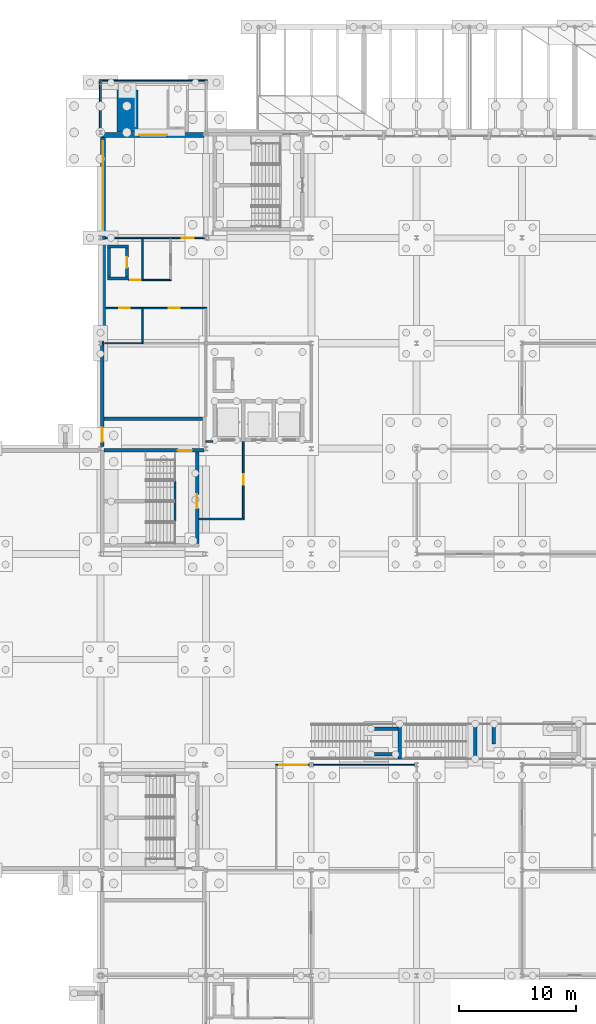
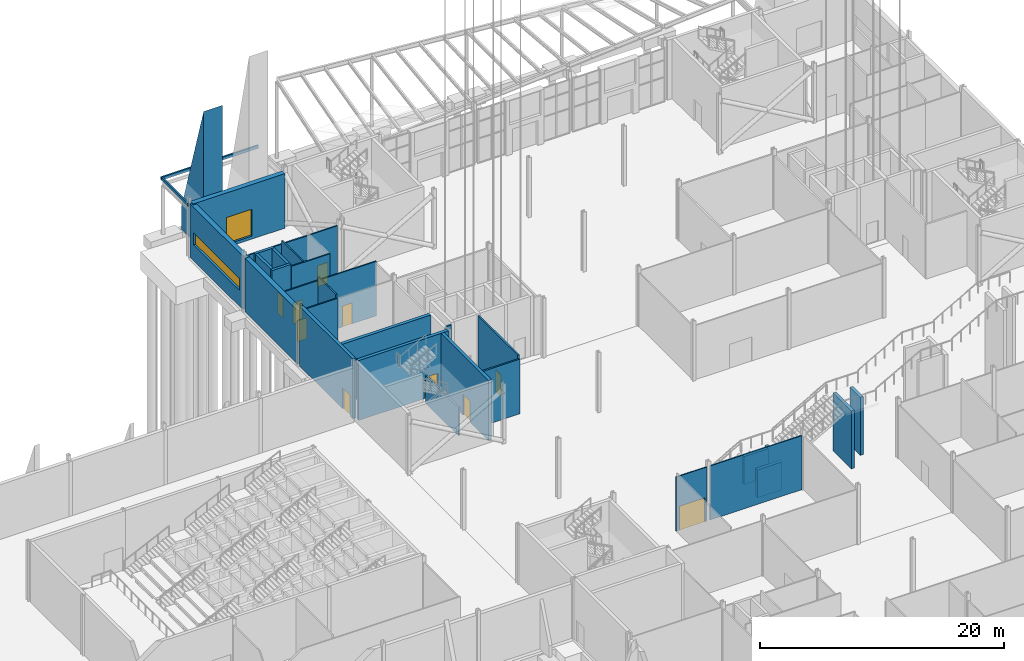
# One storey, part 107 of 139: 33 walls, 10 doors, 2 windows, 12 openings.
"""IFC4 building model written with IfcOpenShell, lengths in metres."""

from ifc_helpers import new_model, si_unit, direction, frame, frame_2d, origin, place, context, subcontext, project, spatial, polyline, rectangle, outline, extrude, material, layer, layer_set, type_object, element, fill, save


model = new_model("IFC4")

# Units and contexts
model_context = context("Model", 3, precision=1e-05, world=origin(), true_north=direction((0.0, 1.0)))
body_context = subcontext(model_context, "Body", "Model", "MODEL_VIEW")
ifc_project = project(units=[si_unit("LENGTHUNIT", "METRE"), si_unit("AREAUNIT", "SQUARE_METRE"), si_unit("VOLUMEUNIT", "CUBIC_METRE"), si_unit("PLANEANGLEUNIT", "RADIAN"), si_unit("MASSUNIT", "GRAM", prefix="KILO")], contexts=[model_context])

# Site, building, storey
site_placement = place(None, origin())
site = spatial("IfcSite", under=ifc_project, at=site_placement, CompositionType="ELEMENT")
building_placement = place(site_placement, origin())
building = spatial("IfcBuilding", under=site, at=building_placement, Name="Shorebreak Coast Museum", CompositionType="ELEMENT")
storey_placement = place(building_placement, origin())
storey = spatial("IfcBuildingStorey", under=building, at=storey_placement, Name="L00", CompositionType="ELEMENT", Elevation=0.0)

# Walls
ifc_material_1 = material(Name="Concrete N50 (50 MPa)", Category="concrete")
ifc_layer_1 = layer(ifc_material_1, 0.14990234375)
ifc_layer_set_1 = layer_set([ifc_layer_1], Name="Concrete N50 (50 MPa)")
wall_type_1 = type_object("IfcWallType", Name="Arcade roof upstand 150", PredefinedType="PARAPET", material=ifc_layer_set_1)
wall_1_placement = place(storey_placement, frame((53.89990234375, 121.425048828125, 5.0), z_axis=(0.0, 0.0, 1.0), x_axis=(1.0, 0.0, 0.0)))
element("IfcWall", 1, at=wall_1_placement, inside=storey, type_object=wall_type_1, Name="Arcade roof upstand north 1", PredefinedType="PARAPET", context=body_context, shape_type="SweptSolid", body=[
    extrude(rectangle(XDim=9.2001953125, YDim=0.14990234375, at=frame_2d((4.60009765625, 0.0))), origin(), (0.0, 0.0, 1.0), 0.300048828125),
])
wall_2_placement = place(storey_placement, frame((53.97509765625, 117.0, 5.0), z_axis=(0.0, 0.0, 1.0), x_axis=(0.0, 1.0, 0.0)))
element("IfcWall", 2, at=wall_2_placement, inside=storey, type_object=wall_type_1, Name="Arcade roof upstand north 1 end 1", PredefinedType="PARAPET", context=body_context, shape_type="SweptSolid", body=[
    extrude(rectangle(XDim=4.35009765625, YDim=0.14990234375, at=frame_2d((2.175048828125, 0.0))), origin(), (0.0, 0.0, 1.0), 0.300048828125),
])
ifc_material_2 = material(Name="Concrete N50 (50 MPa)", Category="concrete")
ifc_layer_2 = layer(ifc_material_2, 1.800048828125)
ifc_layer_set_2 = layer_set([ifc_layer_2], Name="Concrete N50 (50 MPa)")
wall_type_2 = type_object("IfcWallType", Name="Buttress pier 1800", PredefinedType="SOLIDWALL", material=ifc_layer_set_2)
wall_3_placement = place(storey_placement, frame((56.300048828125, 117.02490234375, 0.0), z_axis=(0.0, 0.0, 1.0), x_axis=(0.0, 1.0, 0.0)))
element("IfcWall", 3, at=wall_3_placement, inside=storey, type_object=wall_type_2, Name="Buttress pier N29", PredefinedType="SOLIDWALL", context=body_context, shape_type="SweptSolid", body=[
    extrude(outline(polyline([(0.0, 0.0), (3.60009765625, 0.0), (3.60009765625, 2.39990234375), (0.0, 14.0), (0.0, 0.0)])), frame((0.0, 0.89990234375, 0.0), z_axis=(0.0, -1.0, 0.0), x_axis=(1.0, 0.0, 0.0)), (0.0, 0.0, 1.0), 1.800048828125),
])
ifc_material_3 = material(Name="Concrete N50 (50 MPa)", Category="concrete")
ifc_layer_3 = layer(ifc_material_3, 0.1455078125)
ifc_layer_set_3 = layer_set([ifc_layer_3], Name="Concrete N50 (50 MPa)")
wall_type_3 = type_object("IfcWallType", Name="Column closure panel 145", PredefinedType="SOLIDWALL", material=ifc_layer_set_3)
wall_4_placement = place(storey_placement, frame((54.227294921875, 98.839599609375, 0.0), z_axis=(0.0, 0.0, 1.0), x_axis=(0.0, 1.0, 0.0)))
element("IfcWall", 4, at=wall_4_placement, inside=storey, type_object=wall_type_3, Name="Column closure panel L00 W 7M", PredefinedType="SOLIDWALL", context=body_context, shape_type="SweptSolid", body=[
    extrude(rectangle(XDim=0.322021484375, YDim=0.1455078125, at=frame_2d((0.1611328125, 0.0))), origin(), (0.0, 0.0, 1.0), 6.0),
])
ifc_material_4 = material(Name="Concrete N50 (50 MPa)", Category="concrete")
ifc_layer_4 = layer(ifc_material_4, 0.29541015625)
ifc_layer_set_4 = layer_set([ifc_layer_4], Name="Concrete N50 (50 MPa)")
wall_type_4 = type_object("IfcWallType", Name="Column closure panel 296", PredefinedType="SOLIDWALL", material=ifc_layer_set_4)
wall_5_placement = place(storey_placement, frame((54.30224609375, 107.839111328125, 0.0), z_axis=(0.0, 0.0, 1.0), x_axis=(0.0, 1.0, 0.0)))
element("IfcWall", 5, at=wall_5_placement, inside=storey, type_object=wall_type_4, Name="Column closure panel L00 W 7N", PredefinedType="SOLIDWALL", context=body_context, shape_type="SweptSolid", body=[
    extrude(rectangle(XDim=0.32177734375, YDim=0.29541015625, at=frame_2d((0.160888671875, 0.0))), origin(), (0.0, 0.0, 1.0), 5.364501953125),
])
ifc_material_5 = material(Name="Concrete N50 (50 MPa)", Category="concrete")
ifc_layer_5 = layer(ifc_material_5, 0.449951171875)
ifc_layer_set_5 = layer_set([ifc_layer_5], Name="Concrete N50 (50 MPa)")
wall_type_5 = type_object("IfcWallType", Name="Deep-set precast panel 450", PredefinedType="SOLIDWALL", material=ifc_layer_set_5)
wall_6_placement = place(storey_placement, frame((54.22509765625, 99.16162109375, 0.0), z_axis=(0.0, 0.0, 1.0), x_axis=(0.0, 1.0, 0.0)))
element("IfcWall", 6, at=wall_6_placement, inside=storey, type_object=wall_type_5, Name="External wall L00 W 7M", PredefinedType="SOLIDWALL", context=body_context, shape_type="SweptSolid", body=[
    extrude(rectangle(XDim=8.677490234375, YDim=0.449951171875, at=frame_2d((4.3388671875, 0.0))), origin(), (0.0, 0.0, 1.0), 5.364501953125),
])

# Wall, opening, window
wall_7_placement = place(storey_placement, frame((54.155517578125, 116.77490234375, 0.0), z_axis=(0.0, 0.0, 1.0), x_axis=(1.0, 0.0, 0.0)))
wall_7 = element("IfcWall", 7, at=wall_7_placement, inside=storey, type_object=wall_type_5, Name="External wall L00 N 7P", PredefinedType="SOLIDWALL", context=body_context, shape_type="SweptSolid", body=[
    extrude(rectangle(XDim=8.677978515625, YDim=0.449951171875, at=frame_2d((4.3388671875, 0.0))), origin(), (0.0, 0.0, 1.0), 5.46630859375),
])
opening_1_placement = place(wall_7_placement, frame((3.14453125, 0.0, 0.300048828125)))
opening_1 = element("IfcOpeningElement", 8, at=opening_1_placement, cuts=wall_7, Name="Opening WN0005", PredefinedType="OPENING", context=body_context, shape_type="SweptSolid", body=[
    extrude(rectangle(XDim=2.39990234375, YDim=2.699951171875, at=frame_2d((1.199951171875, 1.35009765625))), frame((0.0, 0.23486328125, 0.0), z_axis=(0.0, -1.0, 0.0), x_axis=(1.0, 0.0, 0.0)), (0.0, 0.0, 1.0), 0.469970703125),
])
ifc_material_6 = material(Name="Aluminium", Category="aluminium")
window_type_1 = type_object("IfcWindowType", Name="Shop display window 2400 x 2700", PartitioningType="SINGLE_PANEL", PredefinedType="WINDOW", material=ifc_material_6)
window_1_placement = place(opening_1_placement, origin())
window_1 = element("IfcWindow", 9, at=window_1_placement, inside=storey, type_object=window_type_1, Name="Window WN0005", OverallHeight=2.699951171875, OverallWidth=2.39990234375, PartitioningType="SINGLE_PANEL", PredefinedType="WINDOW", context=body_context, shape_type="SweptSolid", body=[
    extrude(rectangle(XDim=2.39990234375, YDim=2.699951171875, at=frame_2d((1.199951171875, 1.35009765625))), frame((0.0, 0.030029296875, 0.0), z_axis=(0.0, -1.0, 0.0), x_axis=(1.0, 0.0, 0.0)), (0.0, 0.0, 1.0), 0.06005859375),
])
fill(opening_1, window_1)

wall_8_placement = place(storey_placement, frame((54.22509765625, 108.160888671875, 0.0), z_axis=(0.0, 0.0, 1.0), x_axis=(0.0, 1.0, 0.0)))
wall_8 = element("IfcWall", 10, at=wall_8_placement, inside=storey, type_object=wall_type_5, Name="External wall L00 W 7N", PredefinedType="SOLIDWALL", context=body_context, shape_type="SweptSolid", body=[
    extrude(rectangle(XDim=8.675537109375, YDim=0.449951171875, at=frame_2d((4.337890625, 0.0))), origin(), (0.0, 0.0, 1.0), 5.364501953125),
])
opening_2_placement = place(wall_8_placement, frame((0.589599609375, 0.0, 1.60009765625)))
opening_2 = element("IfcOpeningElement", 11, at=opening_2_placement, cuts=wall_8, Name="Opening WN0012", PredefinedType="OPENING", context=body_context, shape_type="SweptSolid", body=[
    extrude(rectangle(XDim=7.5, YDim=1.199951171875, at=frame_2d((3.75, 0.60009765625))), frame((0.0, 0.23486328125, 0.0), z_axis=(0.0, -1.0, 0.0), x_axis=(1.0, 0.0, 0.0)), (0.0, 0.0, 1.0), 0.469970703125),
])
ifc_material_7 = material(Name="Aluminium", Category="aluminium")
window_type_2 = type_object("IfcWindowType", Name="Ribbon window 7500 x 1200", PartitioningType="SINGLE_PANEL", PredefinedType="WINDOW", material=ifc_material_7)
window_2_placement = place(opening_2_placement, origin())
window_2 = element("IfcWindow", 12, at=window_2_placement, inside=storey, type_object=window_type_2, Name="Window WN0012", OverallHeight=1.199951171875, OverallWidth=7.5, PartitioningType="SINGLE_PANEL", PredefinedType="WINDOW", context=body_context, shape_type="SweptSolid", body=[
    extrude(rectangle(XDim=7.5, YDim=1.199951171875, at=frame_2d((3.75, 0.60009765625))), frame((0.0, 0.030029296875, 0.0), z_axis=(0.0, -1.0, 0.0), x_axis=(1.0, 0.0, 0.0)), (0.0, 0.0, 1.0), 0.06005859375),
])
fill(opening_2, window_2)

# Walls
ifc_material_8 = material(Name="Plasterboard on steel stud", Category="steel")
ifc_layer_6 = layer(ifc_material_8, 0.14990234375)
ifc_layer_set_6 = layer_set([ifc_layer_6], Name="Plasterboard on steel stud")
wall_type_6 = type_object("IfcWallType", Name="Fire partition 150", PredefinedType="PARTITIONING", material=ifc_layer_set_6)
wall_9_placement = place(storey_placement, frame((62.39990234375, 84.0, 0.0), z_axis=(0.0, 0.0, 1.0), x_axis=(1.0, 0.0, 0.0)))
element("IfcWall", 13, at=wall_9_placement, inside=storey, type_object=wall_type_6, Name="Partition L00-063", PredefinedType="PARTITIONING", context=body_context, shape_type="SweptSolid", body=[
    extrude(rectangle(XDim=3.875, YDim=0.14990234375, at=frame_2d((1.9375, 0.0))), origin(), (0.0, 0.0, 1.0), 5.472900390625),
])
wall_10_placement = place(storey_placement, frame((63.0, 90.60009765625, 0.0), z_axis=(0.0, 0.0, 1.0), x_axis=(1.0, 0.0, 0.0)))
element("IfcWall", 14, at=wall_10_placement, inside=storey, type_object=wall_type_6, Name="Partition L00-067", PredefinedType="PARTITIONING", context=body_context, shape_type="SweptSolid", body=[
    extrude(rectangle(XDim=0.60009765625, YDim=0.14990234375, at=frame_2d((0.300048828125, 0.0))), origin(), (0.0, 0.0, 1.0), 5.824951171875),
])

# Wall, opening, door
wall_11_placement = place(storey_placement, frame((66.199951171875, 84.074951171875, 0.0), z_axis=(0.0, 0.0, 1.0), x_axis=(0.0, 1.0, 0.0)))
wall_11 = element("IfcWall", 15, at=wall_11_placement, inside=storey, type_object=wall_type_6, Name="Partition L00-109", PredefinedType="PARTITIONING", context=body_context, shape_type="SweptSolid", body=[
    extrude(rectangle(XDim=6.525146484375, YDim=0.14990234375, at=frame_2d((3.2626953125, 0.0))), origin(), (0.0, 0.0, 1.0), 5.824951171875),
])
opening_3_placement = place(wall_11_placement, frame((2.85009765625, 0.0, 0.0)))
opening_3 = element("IfcOpeningElement", 16, at=opening_3_placement, cuts=wall_11, Name="Opening D0044", PredefinedType="OPENING", context=body_context, shape_type="SweptSolid", body=[
    extrude(rectangle(XDim=0.89990234375, YDim=2.10009765625, at=frame_2d((0.449951171875, 1.050048828125))), frame((0.0, 0.0849609375, 0.0), z_axis=(0.0, -1.0, 0.0), x_axis=(1.0, 0.0, 0.0)), (0.0, 0.0, 1.0), 0.169921875),
])
ifc_material_9 = material(Name="Steel", Category="steel")
door_type_1 = type_object("IfcDoorType", Name="Fire door 900x2100 60", OperationType="SINGLE_SWING_LEFT", PredefinedType="DOOR", material=ifc_material_9)
door_1_placement = place(opening_3_placement, origin())
door_1 = element("IfcDoor", 17, at=door_1_placement, inside=storey, type_object=door_type_1, Name="Door D0044 Firefighting Lift Lobby W", OperationType="SINGLE_SWING_LEFT", OverallHeight=2.10009765625, OverallWidth=0.89990234375, PredefinedType="DOOR", context=body_context, shape_type="SweptSolid", body=[
    extrude(rectangle(XDim=0.89990234375, YDim=2.10009765625, at=frame_2d((0.449951171875, 1.050048828125))), frame((0.0, 0.02490234375, 0.0), z_axis=(0.0, -1.0, 0.0), x_axis=(1.0, 0.0, 0.0)), (0.0, 0.0, 1.0), 0.050048828125),
])
fill(opening_3, door_1)

ifc_material_10 = material(Name="Plasterboard on steel stud", Category="steel")
ifc_layer_7 = layer(ifc_material_10, 0.10009765625)
ifc_layer_set_7 = layer_set([ifc_layer_7], Name="Plasterboard on steel stud")
wall_type_7 = type_object("IfcWallType", Name="Partition 100", PredefinedType="PARTITIONING", material=ifc_layer_set_7)
wall_12_placement = place(storey_placement, frame((68.949951171875, 63.0, 0.0), z_axis=(0.0, 0.0, 1.0), x_axis=(1.0, 0.0, 0.0)))
wall_12 = element("IfcWall", 18, at=wall_12_placement, inside=storey, type_object=wall_type_7, Name="Partition L00-043", PredefinedType="PARTITIONING", context=body_context, shape_type="SweptSolid", body=[
    extrude(rectangle(XDim=2.89453125, YDim=0.10009765625, at=frame_2d((1.447265625, 0.0))), origin(), (0.0, 0.0, 1.0), 5.42236328125),
])
opening_4_placement = place(wall_12_placement, frame((0.300048828125, 0.0, 0.0)))
opening_4 = element("IfcOpeningElement", 19, at=opening_4_placement, cuts=wall_12, Name="Opening D0026", PredefinedType="OPENING", context=body_context, shape_type="SweptSolid", body=[
    extrude(rectangle(XDim=2.39990234375, YDim=2.39990234375, at=frame_2d((1.199951171875, 1.199951171875))), frame((0.0, 0.06005859375, 0.0), z_axis=(0.0, -1.0, 0.0), x_axis=(1.0, 0.0, 0.0)), (0.0, 0.0, 1.0), 0.1201171875),
])
ifc_material_11 = material(Name="Timber", Category="wood")
door_type_2 = type_object("IfcDoorType", Name="Interior door 2400x2400", OperationType="DOUBLE_DOOR_SINGLE_SWING", PredefinedType="DOOR", material=ifc_material_11)
door_2_placement = place(opening_4_placement, origin())
door_2 = element("IfcDoor", 20, at=door_2_placement, inside=storey, type_object=door_type_2, Name="Door D0026 Museum Shop", OperationType="DOUBLE_DOOR_SINGLE_SWING", OverallHeight=2.39990234375, OverallWidth=2.39990234375, PredefinedType="DOOR", context=body_context, shape_type="SweptSolid", body=[
    extrude(rectangle(XDim=2.39990234375, YDim=2.39990234375, at=frame_2d((1.199951171875, 1.199951171875))), frame((0.0, 0.02490234375, 0.0), z_axis=(0.0, -1.0, 0.0), x_axis=(1.0, 0.0, 0.0)), (0.0, 0.0, 1.0), 0.050048828125),
])
fill(opening_4, door_2)

# Walls
wall_13_placement = place(storey_placement, frame((72.155517578125, 63.0, 0.0), z_axis=(0.0, 0.0, 1.0), x_axis=(1.0, 0.0, 0.0)))
element("IfcWall", 21, at=wall_13_placement, inside=storey, type_object=wall_type_7, Name="Partition L00-044", PredefinedType="PARTITIONING", context=body_context, shape_type="SweptSolid", body=[
    extrude(rectangle(XDim=8.68896484375, YDim=0.10009765625, at=frame_2d((4.344482421875, 0.0))), origin(), (0.0, 0.0, 1.0), 5.42236328125),
])
ifc_material_12 = material(Name="Plasterboard on steel stud", Category="steel")
ifc_layer_8 = layer(ifc_material_12, 0.125)
ifc_layer_set_8 = layer_set([ifc_layer_8], Name="Plasterboard on steel stud")
wall_type_8 = type_object("IfcWallType", Name="Partition 125", PredefinedType="PARTITIONING", material=ifc_layer_set_8)
wall_14_placement = place(storey_placement, frame((54.349853515625, 99.0, 0.0), z_axis=(0.0, 0.0, 1.0), x_axis=(1.0, 0.0, 0.0)))
element("IfcWall", 22, at=wall_14_placement, inside=storey, type_object=wall_type_8, Name="Partition L00-071", PredefinedType="PARTITIONING", context=body_context, shape_type="SweptSolid", body=[
    extrude(rectangle(XDim=3.312255859375, YDim=0.125, at=frame_2d((1.65625, 0.0))), origin(), (0.0, 0.0, 1.0), 5.46630859375),
])

# Wall, openings, doors
wall_15_placement = place(storey_placement, frame((54.449951171875, 102.0, 0.0), z_axis=(0.0, 0.0, 1.0), x_axis=(1.0, 0.0, 0.0)))
wall_15 = element("IfcWall", 23, at=wall_15_placement, inside=storey, type_object=wall_type_8, Name="Partition L00-078", PredefinedType="PARTITIONING", context=body_context, shape_type="SweptSolid", body=[
    extrude(rectangle(XDim=8.612548828125, YDim=0.125, at=frame_2d((4.30615234375, 0.0))), origin(), (0.0, 0.0, 1.0), 5.472900390625),
])
opening_5_placement = place(wall_15_placement, frame((1.14990234375, 0.0, 0.0)))
opening_5 = element("IfcOpeningElement", 24, at=opening_5_placement, cuts=wall_15, Name="Opening D0050", PredefinedType="OPENING", context=body_context, shape_type="SweptSolid", body=[
    extrude(rectangle(XDim=0.89990234375, YDim=2.10009765625, at=frame_2d((0.449951171875, 1.050048828125))), frame((0.0, 0.072509765625, 0.0), z_axis=(0.0, -1.0, 0.0), x_axis=(1.0, 0.0, 0.0)), (0.0, 0.0, 1.0), 0.14501953125),
])
opening_6_placement = place(wall_15_placement, frame((5.39990234375, 0.0, 0.0)))
opening_6 = element("IfcOpeningElement", 25, at=opening_6_placement, cuts=wall_15, Name="Opening D0051", PredefinedType="OPENING", context=body_context, shape_type="SweptSolid", body=[
    extrude(rectangle(XDim=0.89990234375, YDim=2.10009765625, at=frame_2d((0.449951171875, 1.050048828125))), frame((0.0, 0.072509765625, 0.0), z_axis=(0.0, -1.0, 0.0), x_axis=(1.0, 0.0, 0.0)), (0.0, 0.0, 1.0), 0.14501953125),
])
ifc_material_13 = material(Name="Timber", Category="wood")
door_type_3 = type_object("IfcDoorType", Name="Interior door 900x2100", OperationType="SINGLE_SWING_LEFT", PredefinedType="DOOR", material=ifc_material_13)
door_3_placement = place(opening_5_placement, origin())
door_3 = element("IfcDoor", 26, at=door_3_placement, inside=storey, type_object=door_type_3, Name="Door D0050 Accessible WC N1", OperationType="SINGLE_SWING_RIGHT", OverallHeight=2.10009765625, OverallWidth=0.89990234375, PredefinedType="DOOR", context=body_context, shape_type="SweptSolid", body=[
    extrude(rectangle(XDim=0.89990234375, YDim=2.10009765625, at=frame_2d((0.449951171875, 1.050048828125))), frame((0.0, 0.02490234375, 0.0), z_axis=(0.0, -1.0, 0.0), x_axis=(1.0, 0.0, 0.0)), (0.0, 0.0, 1.0), 0.050048828125),
])
fill(opening_5, door_3)
door_4_placement = place(opening_6_placement, origin())
door_4 = element("IfcDoor", 27, at=door_4_placement, inside=storey, type_object=door_type_3, Name="Door D0051 Male WC N1", OperationType="SINGLE_SWING_RIGHT", OverallHeight=2.10009765625, OverallWidth=0.89990234375, PredefinedType="DOOR", context=body_context, shape_type="SweptSolid", body=[
    extrude(rectangle(XDim=0.89990234375, YDim=2.10009765625, at=frame_2d((0.449951171875, 1.050048828125))), frame((0.0, 0.02490234375, 0.0), z_axis=(0.0, -1.0, 0.0), x_axis=(1.0, 0.0, 0.0)), (0.0, 0.0, 1.0), 0.050048828125),
])
fill(opening_6, door_4)

# Wall, opening, door
wall_16_placement = place(storey_placement, frame((56.39990234375, 104.39990234375, 0.0), z_axis=(0.0, 0.0, 1.0), x_axis=(1.0, 0.0, 0.0)))
wall_16 = element("IfcWall", 28, at=wall_16_placement, inside=storey, type_object=wall_type_8, Name="Partition L00-080", PredefinedType="PARTITIONING", context=body_context, shape_type="SweptSolid", body=[
    extrude(rectangle(XDim=3.66259765625, YDim=0.125, at=frame_2d((1.831298828125, 0.0))), origin(), (0.0, 0.0, 1.0), 5.824951171875),
])
opening_7_placement = place(wall_16_placement, frame((0.14990234375, 0.0, 0.0)))
opening_7 = element("IfcOpeningElement", 29, at=opening_7_placement, cuts=wall_16, Name="Opening D0048", PredefinedType="OPENING", context=body_context, shape_type="SweptSolid", body=[
    extrude(rectangle(XDim=0.89990234375, YDim=2.10009765625, at=frame_2d((0.449951171875, 1.050048828125))), frame((0.0, 0.072509765625, 0.0), z_axis=(0.0, -1.0, 0.0), x_axis=(1.0, 0.0, 0.0)), (0.0, 0.0, 1.0), 0.14501953125),
])
door_5_placement = place(opening_7_placement, origin())
door_5 = element("IfcDoor", 30, at=door_5_placement, inside=storey, type_object=door_type_3, Name="Door D0048 Cleaner Store N1", OperationType="SINGLE_SWING_LEFT", OverallHeight=2.10009765625, OverallWidth=0.89990234375, PredefinedType="DOOR", context=body_context, shape_type="SweptSolid", body=[
    extrude(rectangle(XDim=0.89990234375, YDim=2.10009765625, at=frame_2d((0.449951171875, 1.050048828125))), frame((0.0, 0.02490234375, 0.0), z_axis=(0.0, -1.0, 0.0), x_axis=(1.0, 0.0, 0.0)), (0.0, 0.0, 1.0), 0.050048828125),
])
fill(opening_7, door_5)

wall_17_placement = place(storey_placement, frame((54.449951171875, 108.0, 0.0), z_axis=(0.0, 0.0, 1.0), x_axis=(1.0, 0.0, 0.0)))
wall_17 = element("IfcWall", 31, at=wall_17_placement, inside=storey, type_object=wall_type_8, Name="Partition L00-082", PredefinedType="PARTITIONING", context=body_context, shape_type="SweptSolid", body=[
    extrude(rectangle(XDim=8.3955078125, YDim=0.125, at=frame_2d((4.19775390625, 0.0))), origin(), (0.0, 0.0, 1.0), 5.46630859375),
])
opening_8_placement = place(wall_17_placement, frame((6.5, 0.0, 0.0)))
opening_8 = element("IfcOpeningElement", 32, at=opening_8_placement, cuts=wall_17, Name="Opening D0056", PredefinedType="OPENING", context=body_context, shape_type="SweptSolid", body=[
    extrude(rectangle(XDim=1.0, YDim=2.10009765625, at=frame_2d((0.5, 1.050048828125))), frame((0.0, 0.072509765625, 0.0), z_axis=(0.0, -1.0, 0.0), x_axis=(1.0, 0.0, 0.0)), (0.0, 0.0, 1.0), 0.14501953125),
])
ifc_material_14 = material(Name="Timber", Category="wood")
door_type_4 = type_object("IfcDoorType", Name="Interior door 1000x2100", OperationType="SINGLE_SWING_LEFT", PredefinedType="DOOR", material=ifc_material_14)
door_6_placement = place(opening_8_placement, origin())
door_6 = element("IfcDoor", 33, at=door_6_placement, inside=storey, type_object=door_type_4, Name="Door D0056 Services Store 0.03", OperationType="SINGLE_SWING_LEFT", OverallHeight=2.10009765625, OverallWidth=1.0, PredefinedType="DOOR", context=body_context, shape_type="SweptSolid", body=[
    extrude(rectangle(XDim=1.0, YDim=2.10009765625, at=frame_2d((0.5, 1.050048828125))), frame((0.0, 0.02490234375, 0.0), z_axis=(0.0, -1.0, 0.0), x_axis=(1.0, 0.0, 0.0)), (0.0, 0.0, 1.0), 0.050048828125),
])
fill(opening_8, door_6)

# Walls
wall_18_placement = place(storey_placement, frame((57.60009765625, 99.0625, 0.0), z_axis=(0.0, 0.0, 1.0), x_axis=(0.0, 1.0, 0.0)))
element("IfcWall", 34, at=wall_18_placement, inside=storey, type_object=wall_type_8, Name="Partition L00-095", PredefinedType="PARTITIONING", context=body_context, shape_type="SweptSolid", body=[
    extrude(rectangle(XDim=2.875, YDim=0.125, at=frame_2d((1.4375, 0.0))), origin(), (0.0, 0.0, 1.0), 5.824951171875),
])
wall_19_placement = place(storey_placement, frame((57.60009765625, 104.46240234375, 0.0), z_axis=(0.0, 0.0, 1.0), x_axis=(0.0, 1.0, 0.0)))
element("IfcWall", 35, at=wall_19_placement, inside=storey, type_object=wall_type_8, Name="Partition L00-096", PredefinedType="PARTITIONING", context=body_context, shape_type="SweptSolid", body=[
    extrude(rectangle(XDim=3.47509765625, YDim=0.125, at=frame_2d((1.737548828125, 0.0))), origin(), (0.0, 0.0, 1.0), 5.824951171875),
])
ifc_material_15 = material(Name="Concrete N50 (50 MPa)", Category="concrete")
ifc_layer_9 = layer(ifc_material_15, 0.25)
ifc_layer_set_9 = layer_set([ifc_layer_9], Name="Concrete N50 (50 MPa)")
wall_type_9 = type_object("IfcWallType", Name="RC riser wall 250", PredefinedType="STANDARD", material=ifc_layer_set_9)
for number, where, z_axis, x_axis, name in (
    (36, (54.60009765625, 104.52490234375, 0.0), (0.0, 0.0, 1.0), (1.0, 0.0, 0.0), "Riser wall R-WC-N1 L00 S"),
    (37, (54.60009765625, 107.27490234375, 0.0), (0.0, 0.0, 1.0), (1.0, 0.0, 0.0), "Riser wall R-WC-N1 L00 N"),
):
    element("IfcWall", number, at=place(storey_placement, frame(where, z_axis=z_axis, x_axis=x_axis)), inside=storey, type_object=wall_type_9, Name=name, PredefinedType="STANDARD", context=body_context, shape_type="SweptSolid", body=[
        extrude(rectangle(XDim=1.7998046875, YDim=0.25, at=frame_2d((0.89990234375, 0.0))), origin(), (0.0, 0.0, 1.0), 6.0),
    ])
wall_20_placement = place(storey_placement, frame((54.72509765625, 104.64990234375, 0.0), z_axis=(0.0, 0.0, 1.0), x_axis=(0.0, 1.0, 0.0)))
element("IfcWall", 38, at=wall_20_placement, inside=storey, type_object=wall_type_9, Name="Riser wall R-WC-N1 L00 W", PredefinedType="STANDARD", context=body_context, shape_type="SweptSolid", body=[
    extrude(rectangle(XDim=2.5, YDim=0.25, at=frame_2d((1.25, 0.0))), origin(), (0.0, 0.0, 1.0), 6.0),
])

# Wall, opening, door
wall_21_placement = place(storey_placement, frame((56.27490234375, 104.64990234375, 0.0), z_axis=(0.0, 0.0, 1.0), x_axis=(0.0, 1.0, 0.0)))
wall_21 = element("IfcWall", 39, at=wall_21_placement, inside=storey, type_object=wall_type_9, Name="Riser wall R-WC-N1 L00 E", PredefinedType="STANDARD", context=body_context, shape_type="SweptSolid", body=[
    extrude(rectangle(XDim=2.5, YDim=0.25, at=frame_2d((1.25, 0.0))), origin(), (0.0, 0.0, 1.0), 6.0),
])
opening_9_placement = place(wall_21_placement, frame((0.800048828125, 0.0, 0.0)))
opening_9 = element("IfcOpeningElement", 40, at=opening_9_placement, cuts=wall_21, Name="Opening D0601", PredefinedType="OPENING", context=body_context, shape_type="SweptSolid", body=[
    extrude(rectangle(XDim=0.89990234375, YDim=2.10009765625, at=frame_2d((0.449951171875, 1.050048828125))), frame((0.0, 0.135009765625, 0.0), z_axis=(0.0, -1.0, 0.0), x_axis=(1.0, 0.0, 0.0)), (0.0, 0.0, 1.0), 0.27001953125),
])
ifc_material_16 = material(Name="Steel Grade 300", Category="steel")
door_type_5 = type_object("IfcDoorType", Name="Riser door 900x2100", OperationType="SINGLE_SWING_LEFT", PredefinedType="DOOR", material=ifc_material_16)
door_7_placement = place(opening_9_placement, origin())
door_7 = element("IfcDoor", 41, at=door_7_placement, inside=storey, type_object=door_type_5, Name="Riser door R-WC-N1 L00", OperationType="SINGLE_SWING_LEFT", OverallHeight=2.10009765625, OverallWidth=0.89990234375, PredefinedType="DOOR", context=body_context, shape_type="SweptSolid", body=[
    extrude(rectangle(XDim=0.89990234375, YDim=2.10009765625, at=frame_2d((0.449951171875, 1.050048828125))), frame((0.0, 0.02490234375, 0.0), z_axis=(0.0, -1.0, 0.0), x_axis=(1.0, 0.0, 0.0)), (0.0, 0.0, 1.0), 0.050048828125),
])
fill(opening_9, door_7)

ifc_material_17 = material(Name="Concrete N50 (50 MPa)", Category="concrete")
ifc_layer_10 = layer(ifc_material_17, 0.300048828125)
ifc_layer_set_10 = layer_set([ifc_layer_10], Name="Concrete N50 (50 MPa)")
wall_type_10 = type_object("IfcWallType", Name="RC wall 300", PredefinedType="SHEAR", material=ifc_layer_set_10)
wall_22_placement = place(storey_placement, frame((54.300048828125, 89.85009765625, 0.0), z_axis=(0.0, 0.0, 1.0), x_axis=(1.0, 0.0, 0.0)))
wall_22 = element("IfcWall", 42, at=wall_22_placement, inside=storey, type_object=wall_type_10, Name="Stair core wall ST03 L00 N", PredefinedType="SHEAR", context=body_context, shape_type="SweptSolid", body=[
    extrude(rectangle(XDim=8.54443359375, YDim=0.300048828125, at=frame_2d((4.272216796875, 0.0))), origin(), (0.0, 0.0, 1.0), 6.0),
])
opening_10_placement = place(wall_22_placement, frame((6.300048828125, 0.0, 0.0)))
opening_10 = element("IfcOpeningElement", 43, at=opening_10_placement, cuts=wall_22, Name="Opening D0553", PredefinedType="OPENING", context=body_context, shape_type="SweptSolid", body=[
    extrude(rectangle(XDim=1.199951171875, YDim=2.10009765625, at=frame_2d((0.60009765625, 1.050048828125))), frame((0.0, 0.159912109375, 0.0), z_axis=(0.0, -1.0, 0.0), x_axis=(1.0, 0.0, 0.0)), (0.0, 0.0, 1.0), 0.320068359375),
])
ifc_material_18 = material(Name="Steel Grade 300", Category="steel")
door_type_6 = type_object("IfcDoorType", Name="Fire door 1200x2100", OperationType="SINGLE_SWING_LEFT", PredefinedType="DOOR", material=ifc_material_18)
door_8_placement = place(opening_10_placement, origin())
door_8 = element("IfcDoor", 44, at=door_8_placement, inside=storey, type_object=door_type_6, Name="Passage door ST03", OperationType="SINGLE_SWING_LEFT", OverallHeight=2.10009765625, OverallWidth=1.199951171875, PredefinedType="DOOR", context=body_context, shape_type="SweptSolid", body=[
    extrude(rectangle(XDim=1.199951171875, YDim=2.10009765625, at=frame_2d((0.60009765625, 1.050048828125))), frame((0.0, 0.02490234375, 0.0), z_axis=(0.0, -1.0, 0.0), x_axis=(1.0, 0.0, 0.0)), (0.0, 0.0, 1.0), 0.050048828125),
])
fill(opening_10, door_8)

wall_23_placement = place(storey_placement, frame((62.25, 81.89990234375, 0.0), z_axis=(0.0, 0.0, 1.0), x_axis=(0.0, 1.0, 0.0)))
wall_23 = element("IfcWall", 45, at=wall_23_placement, inside=storey, type_object=wall_type_10, Name="Stair core wall ST03 L00 E", PredefinedType="SHEAR", context=body_context, shape_type="SweptSolid", body=[
    extrude(rectangle(XDim=7.800048828125, YDim=0.300048828125, at=frame_2d((3.89990234375, 0.0))), origin(), (0.0, 0.0, 1.0), 6.0),
])
opening_11_placement = place(wall_23_placement, frame((3.0, 0.0, 0.0)))
opening_11 = element("IfcOpeningElement", 46, at=opening_11_placement, cuts=wall_23, Name="Opening D0803", PredefinedType="OPENING", context=body_context, shape_type="SweptSolid", body=[
    extrude(rectangle(XDim=1.199951171875, YDim=2.10009765625, at=frame_2d((0.60009765625, 1.050048828125))), frame((0.0, 0.159912109375, 0.0), z_axis=(0.0, -1.0, 0.0), x_axis=(1.0, 0.0, 0.0)), (0.0, 0.0, 1.0), 0.320068359375),
])
door_9_placement = place(opening_11_placement, origin())
door_9 = element("IfcDoor", 47, at=door_9_placement, inside=storey, type_object=door_type_6, Name="Stair door ST03 L00", OperationType="SINGLE_SWING_RIGHT", OverallHeight=2.10009765625, OverallWidth=1.199951171875, PredefinedType="DOOR", context=body_context, shape_type="SweptSolid", body=[
    extrude(rectangle(XDim=1.199951171875, YDim=2.10009765625, at=frame_2d((0.60009765625, 1.050048828125))), frame((0.0, 0.02490234375, 0.0), z_axis=(0.0, -1.0, 0.0), x_axis=(1.0, 0.0, 0.0)), (0.0, 0.0, 1.0), 0.050048828125),
])
fill(opening_11, door_9)

wall_24_placement = place(storey_placement, frame((54.14990234375, 90.16357421875, 0.0), z_axis=(0.0, 0.0, 1.0), x_axis=(0.0, 1.0, 0.0)))
wall_24 = element("IfcWall", 48, at=wall_24_placement, inside=storey, type_object=wall_type_10, Name="Exit passage wall PX3 exit", PredefinedType="SHEAR", context=body_context, shape_type="SweptSolid", body=[
    extrude(rectangle(XDim=8.676025390625, YDim=0.300048828125, at=frame_2d((4.337890625, 0.0))), origin(), (0.0, 0.0, 1.0), 6.0),
])
opening_12_placement = place(wall_24_placement, frame((0.436279296875, 0.0, 0.0)))
opening_12 = element("IfcOpeningElement", 49, at=opening_12_placement, cuts=wall_24, Name="Opening D0563", PredefinedType="OPENING", context=body_context, shape_type="SweptSolid", body=[
    extrude(rectangle(XDim=1.199951171875, YDim=2.10009765625, at=frame_2d((0.60009765625, 1.050048828125))), frame((0.0, 0.159912109375, 0.0), z_axis=(0.0, -1.0, 0.0), x_axis=(1.0, 0.0, 0.0)), (0.0, 0.0, 1.0), 0.320068359375),
])
ifc_material_19 = material(Name="Steel Grade 300", Category="steel")
door_type_7 = type_object("IfcDoorType", Name="Exit door 1200x2100", OperationType="SINGLE_SWING_LEFT", PredefinedType="DOOR", material=ifc_material_19)
door_10_placement = place(opening_12_placement, origin())
door_10 = element("IfcDoor", 50, at=door_10_placement, inside=storey, type_object=door_type_7, Name="Exit door PX3", OperationType="SINGLE_SWING_RIGHT", OverallHeight=2.10009765625, OverallWidth=1.199951171875, PredefinedType="DOOR", context=body_context, shape_type="SweptSolid", body=[
    extrude(rectangle(XDim=1.199951171875, YDim=2.10009765625, at=frame_2d((0.60009765625, 1.050048828125))), frame((0.0, 0.02490234375, 0.0), z_axis=(0.0, -1.0, 0.0), x_axis=(1.0, 0.0, 0.0)), (0.0, 0.0, 1.0), 0.050048828125),
])
fill(opening_12, door_10)

# Walls
wall_25_placement = place(storey_placement, frame((54.300048828125, 92.550048828125, 0.0), z_axis=(0.0, 0.0, 1.0), x_axis=(1.0, 0.0, 0.0)))
element("IfcWall", 51, at=wall_25_placement, inside=storey, type_object=wall_type_10, Name="Exit passage wall PX3 far", PredefinedType="SHEAR", context=body_context, shape_type="SweptSolid", body=[
    extrude(rectangle(XDim=8.39990234375, YDim=0.300048828125, at=frame_2d((4.199951171875, 0.0))), origin(), (0.0, 0.0, 1.0), 6.0),
])
ifc_material_20 = material(Name="Concrete N50 (50 MPa)", Category="concrete")
ifc_layer_11 = layer(ifc_material_20, 0.300048828125)
ifc_layer_set_11 = layer_set([ifc_layer_11], Name="Concrete N50 (50 MPa)")
wall_type_11 = type_object("IfcWallType", Name="Stair support wall 300", PredefinedType="SHEAR", material=ifc_layer_set_11)
wall_26_placement = place(storey_placement, frame((79.550048828125, 63.5, 0.0), z_axis=(0.0, 0.0, 1.0), x_axis=(0.0, 1.0, 0.0)))
element("IfcWall", 52, at=wall_26_placement, inside=storey, type_object=wall_type_11, Name="Feature stair support wall M1", PredefinedType="SHEAR", context=body_context, shape_type="SweptSolid", body=[
    extrude(rectangle(XDim=3.0, YDim=0.300048828125, at=frame_2d((1.5, 0.0))), origin(), (0.0, 0.0, 1.0), 2.800048828125),
])
for number, where, z_axis, x_axis, name in (
    (53, (77.10009765625, 63.89990234375, 0.0), (0.0, 0.0, 1.0), (1.0, 0.0, 0.0), "Feature stair support wall M1B"),
    (54, (77.10009765625, 66.10009765625, 0.0), (0.0, 0.0, 1.0), (1.0, 0.0, 0.0), "Feature stair support wall M1C"),
):
    element("IfcWall", number, at=place(storey_placement, frame(where, z_axis=z_axis, x_axis=x_axis)), inside=storey, type_object=wall_type_11, Name=name, PredefinedType="SHEAR", context=body_context, shape_type="SweptSolid", body=[
        extrude(rectangle(XDim=2.2998046875, YDim=0.300048828125, at=frame_2d((1.14990234375, 0.0))), origin(), (0.0, 0.0, 1.0), 2.800048828125),
    ])
wall_27_placement = place(storey_placement, frame((86.0, 63.5, 0.0), z_axis=(0.0, 0.0, 1.0), x_axis=(0.0, 1.0, 0.0)))
element("IfcWall", 55, at=wall_27_placement, inside=storey, type_object=wall_type_11, Name="Feature stair support wall LA1", PredefinedType="SHEAR", context=body_context, shape_type="SweptSolid", body=[
    extrude(rectangle(XDim=3.0, YDim=0.300048828125, at=frame_2d((1.5, 0.0))), origin(), (0.0, 0.0, 1.0), 5.800048828125),
])
wall_28_placement = place(storey_placement, frame((87.60009765625, 64.800048828125, 0.0), z_axis=(0.0, 0.0, 1.0), x_axis=(0.0, 1.0, 0.0)))
element("IfcWall", 56, at=wall_28_placement, inside=storey, type_object=wall_type_11, Name="Feature stair support wall LA2", PredefinedType="SHEAR", context=body_context, shape_type="SweptSolid", body=[
    extrude(rectangle(XDim=1.699951171875, YDim=0.300048828125, at=frame_2d((0.85009765625, 0.0))), origin(), (0.0, 0.0, 1.0), 5.800048828125),
])
ifc_material_21 = material(Name="Concrete N50 (50 MPa)", Category="concrete")
ifc_layer_12 = layer(ifc_material_21, 0.14990234375)
ifc_layer_set_12 = layer_set([ifc_layer_12], Name="Concrete N50 (50 MPa)")
wall_type_12 = type_object("IfcWallType", Name="Understair wall 150", PredefinedType="STANDARD", material=ifc_layer_set_12)
wall_29_placement = place(storey_placement, frame((60.375, 83.699951171875, 0.0), z_axis=(0.0, 0.0, 1.0), x_axis=(0.0, 1.0, 0.0)))
element("IfcWall", 57, at=wall_29_placement, inside=storey, type_object=wall_type_12, Name="Understair wall ST03 L00 floor", PredefinedType="STANDARD", context=body_context, shape_type="SweptSolid", body=[
    extrude(rectangle(XDim=5.400146484375, YDim=0.14990234375, at=frame_2d((2.7001953125, 0.0))), origin(), (0.0, 0.0, 1.0), 2.800048828125),
])

save(model, "model.ifc")
